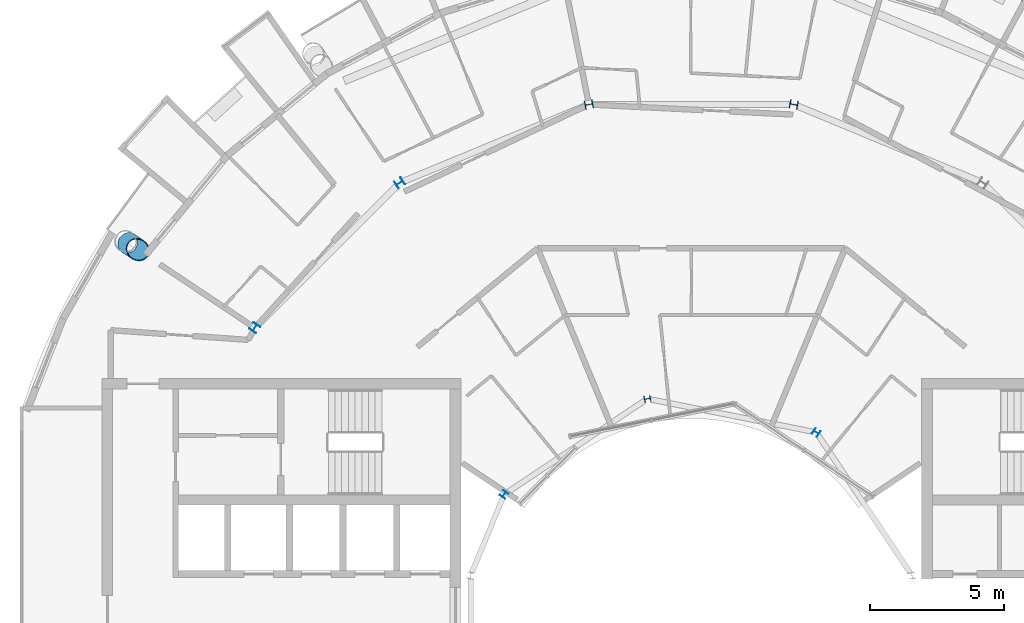
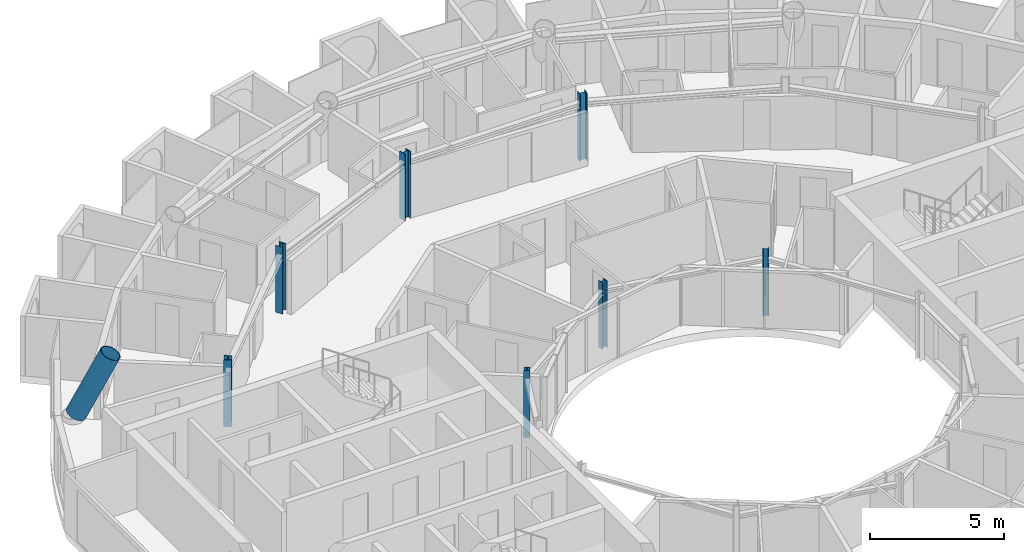
# One storey, part 4 of 27: 8 columns.
"""IFC4 building model written with IfcOpenShell, lengths in metres."""

from ifc_helpers import new_model, si_unit, direction, frame, origin, origin_2d, place, context, subcontext, project, spatial, hollow_circle, i_section, extrude, material, material_profile, profile_set, type_object, element, save


model = new_model("IFC4")

# Units and contexts
model_context = context("Model", 3, precision=1e-05, world=origin(), true_north=direction((0.0, 1.0)))
body_context = subcontext(model_context, "Body", "Model", "MODEL_VIEW")
ifc_project = project(units=[si_unit("LENGTHUNIT", "METRE"), si_unit("AREAUNIT", "SQUARE_METRE"), si_unit("VOLUMEUNIT", "CUBIC_METRE"), si_unit("PLANEANGLEUNIT", "RADIAN"), si_unit("MASSUNIT", "GRAM", prefix="KILO")], contexts=[model_context])

# Site, building, storey
site_placement = place(None, origin())
site = spatial("IfcSite", under=ifc_project, at=site_placement, CompositionType="ELEMENT")
building_placement = place(site_placement, origin())
building = spatial("IfcBuilding", under=site, at=building_placement, Name="Maasbend Ring Residences", CompositionType="ELEMENT")
storey_placement = place(building_placement, frame((0.0, 0.0, 243.199951171875)))
storey = spatial("IfcBuildingStorey", under=building, at=storey_placement, Name="L70", CompositionType="ELEMENT", Elevation=243.199951171875)

# Columns
ifc_material_1 = material(Name="Composite concrete-filled steel tube S460NH / C80/95", Category="concrete")
ifc_material_profile_1 = material_profile(ifc_material_1, hollow_circle(Radius=0.406494140625, WallThickness=0.030029296875, at=origin_2d()), Name="Composite tube column CHS 813x30")
ifc_profile_set_1 = profile_set([ifc_material_profile_1], Name="Composite concrete-filled steel tube S460NH / C80/95")
column_type_1 = type_object("IfcColumnType", Name="Composite tube column CHS 813x30", PredefinedType="COLUMN", material=ifc_profile_set_1)
column_placement = place(storey_placement, frame((-21.027099609375, 14.0498046875, 0.241943359375), z_axis=(0.346875102267, -0.231750495433, 0.908828570905), x_axis=(0.555530396269, 0.831496228988, 0.0)))
element("IfcColumn", 1, at=column_placement, inside=storey, type_object=column_type_1, Name="Outer column R7", PredefinedType="COLUMN", context=body_context, shape_type="SweptSolid", body=[
    extrude(hollow_circle(Radius=0.406494140625, WallThickness=0.030029296875, at=origin_2d()), origin(), (0.0, 0.0, 1.0), 3.08984375),
])
ifc_material_2 = material(Name="Steel S355J2", Category="steel")
ifc_material_profile_2 = material_profile(ifc_material_2, i_section(OverallWidth=0.239990234375, OverallDepth=0.22998046875, WebThickness=0.007568359375, FlangeThickness=0.011962890625, FilletRadius=0.02099609375, at=origin_2d()), Name="HEA 240")
ifc_profile_set_2 = profile_set([ifc_material_profile_2], Name="Steel S355J2")
column_type_2 = type_object("IfcColumnType", Name="Steel column HEA 240", PredefinedType="COLUMN", material=ifc_profile_set_2)
for number, where, z_axis, x_axis, name in (
    (2, (4.666748046875, 6.984375, 0.0), (0.0, 0.0, 1.0), (0.55557023302, 0.831469612303, 0.0), "Well ring column R3"),
    (3, (-1.638916015625, 8.238525390625, 0.0), (0.0, 0.0, 1.0), (-0.195090322016, 0.980785280403, 0.0), "Well ring column R5"),
    (4, (-6.984375, 4.666748046875, 0.0), (0.0, 0.0, 1.0), (-0.831469612303, 0.55557023302, 0.0), "Well ring column R7"),
):
    element("IfcColumn", number, at=place(storey_placement, frame(where, z_axis=z_axis, x_axis=x_axis)), inside=storey, type_object=column_type_2, Name=name, PredefinedType="COLUMN", context=body_context, shape_type="SweptSolid", body=[
        extrude(i_section(OverallWidth=0.239990234375, OverallDepth=0.22998046875, WebThickness=0.007568359375, FlangeThickness=0.011962890625, FilletRadius=0.02099609375, at=origin_2d()), origin(), (0.0, 0.0, 1.0), 3.050048828125),
    ])
ifc_material_3 = material(Name="Steel S355J2", Category="steel")
ifc_material_profile_3 = material_profile(ifc_material_3, i_section(OverallWidth=0.300048828125, OverallDepth=0.300048828125, WebThickness=0.010986328125, FlangeThickness=0.01904296875, FilletRadius=0.027099609375, at=origin_2d()), Name="HEB 300")
ifc_profile_set_3 = profile_set([ifc_material_profile_3], Name="Steel S355J2")
column_type_3 = type_object("IfcColumnType", Name="Steel column HEB 300", PredefinedType="COLUMN", material=ifc_profile_set_3)
for number, where, z_axis, x_axis, name in (
    (5, (3.82373046875, 19.223388671875, 0.0), (0.0, 0.0, 1.0), (0.195090322016, 0.980785280403, 0.0), "Corridor ring column R4"),
    (6, (-3.82373046875, 19.223388671875, 0.0), (0.0, 0.0, 1.0), (-0.195090322016, 0.980785280403, 0.0), "Corridor ring column R5"),
    (7, (-10.88916015625, 16.296875, 0.0), (0.0, 0.0, 1.0), (-0.55557023302, 0.831469612303, 0.0), "Corridor ring column R6"),
    (8, (-16.296875, 10.88916015625, 0.0), (0.0, 0.0, 1.0), (-0.831469612303, 0.55557023302, 0.0), "Corridor ring column R7"),
):
    element("IfcColumn", number, at=place(storey_placement, frame(where, z_axis=z_axis, x_axis=x_axis)), inside=storey, type_object=column_type_3, Name=name, PredefinedType="COLUMN", context=body_context, shape_type="SweptSolid", body=[
        extrude(i_section(OverallWidth=0.300048828125, OverallDepth=0.300048828125, WebThickness=0.010986328125, FlangeThickness=0.01904296875, FilletRadius=0.027099609375, at=origin_2d()), origin(), (0.0, 0.0, 1.0), 3.050048828125),
    ])

save(model, "model.ifc")
